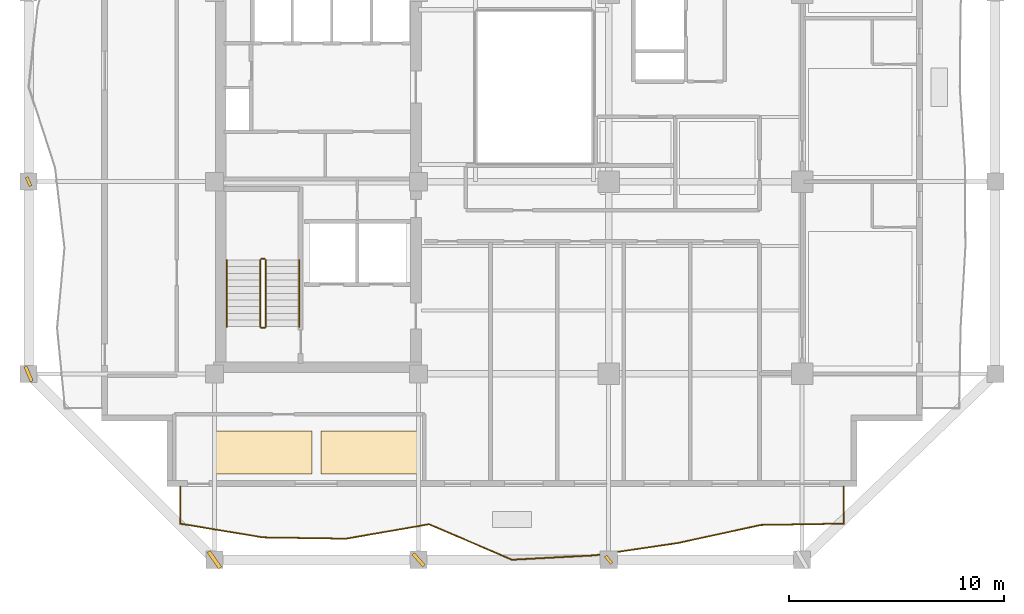
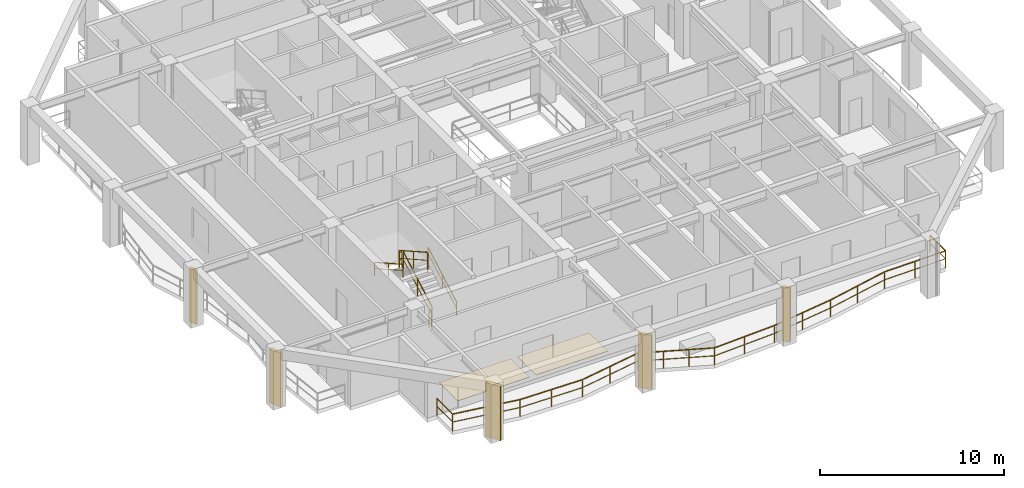
# One storey, part 8 of 11: 7 railings, 5 shading devices, 2 coverings.
"""IFC4 building model written with IfcOpenShell, lengths in metres."""

from ifc_helpers import new_model, si_unit, direction, frame, origin, origin_2d, place, context, subcontext, project, spatial, polyline, rectangle, outline, extrude, material, layer, layer_set, type_object, element, save


model = new_model("IFC4")

# Units and contexts
model_context = context("Model", 3, precision=1e-05, world=origin(), true_north=direction((0.0, 1.0)))
body_context = subcontext(model_context, "Body", "Model", "MODEL_VIEW")
ifc_project = project(units=[si_unit("LENGTHUNIT", "METRE"), si_unit("AREAUNIT", "SQUARE_METRE"), si_unit("VOLUMEUNIT", "CUBIC_METRE"), si_unit("PLANEANGLEUNIT", "RADIAN"), si_unit("MASSUNIT", "GRAM", prefix="KILO")], contexts=[model_context])

# Site, building, storey
site_placement = place(None, origin())
site = spatial("IfcSite", under=ifc_project, at=site_placement, CompositionType="ELEMENT")
building_placement = place(site_placement, origin())
building = spatial("IfcBuilding", under=site, at=building_placement, Name="Kundavana Baori Tower", CompositionType="ELEMENT")
storey_placement = place(building_placement, frame((0.0, 0.0, 142.5)))
storey = spatial("IfcBuildingStorey", under=building, at=storey_placement, Name="L34", CompositionType="ELEMENT", Elevation=142.5)

# Coverings
ifc_material_1 = material(Name="Honed Kota Stone and Terrazzo Flooring", Category="masonry")
ifc_layer = layer(ifc_material_1, 0.030029296875, Name="COV-INT-FLR")
ifc_layer_set = layer_set([ifc_layer], Name="Honed Kota Stone and Terrazzo Flooring")
covering_type = type_object("IfcCoveringType", Name="COV-INT-FLR", PredefinedType="FLOORING", material=ifc_layer_set)
covering_1_placement = place(storey_placement, origin())
element("IfcCovering", 1, at=covering_1_placement, inside=storey, type_object=covering_type, Name="L34 Room Finished Stone Flooring 5", PredefinedType="FLOORING", context=body_context, shape_type="SweptSolid", body=[
    extrude(outline(polyline([(15.5, 10.580078125), (20.0, 10.580078125), (20.0, 12.60009765625), (15.5, 12.60009765625), (15.5, 10.580078125)])), origin(), (0.0, 0.0, 1.0), 0.030029296875),
])
covering_2_placement = place(storey_placement, origin())
element("IfcCovering", 2, at=covering_2_placement, inside=storey, type_object=covering_type, Name="L34 Room Finished Stone Flooring 6", PredefinedType="FLOORING", context=body_context, shape_type="SweptSolid", body=[
    extrude(outline(polyline([(20.39990234375, 10.580078125), (24.89990234375, 10.580078125), (24.89990234375, 12.60009765625), (20.39990234375, 12.60009765625), (20.39990234375, 10.580078125)])), origin(), (0.0, 0.0, 1.0), 0.030029296875),
])

# Railings
ifc_material_2 = material(Name="Architectural Patinated Bronze Metalwork")
railing_type_1 = type_object("IfcRailingType", Name="RL-BAL-1150", PredefinedType="BALUSTRADE", material=ifc_material_2)
railing_1_placement = place(storey_placement, frame((44.75, 10.0, 0.0)))
element("IfcRailing", 3, at=railing_1_placement, inside=storey, type_object=railing_type_1, Name="L34 Loggia Balcony Balustrade S", PredefinedType="BALUSTRADE", context=body_context, shape_type="SweptSolid", body=[
    extrude(rectangle(XDim=0.048095703125, YDim=0.048095703125, at=origin_2d()), frame((0.0, 0.0, 1.1259765625), z_axis=(0.0, -1.0, 0.0), x_axis=(1.0, 0.0, 0.0)), (0.0, 0.0, 1.0), 1.719970703125),
    extrude(rectangle(XDim=0.03125, YDim=0.03125, at=origin_2d()), frame((0.0, 0.0, 0.597900390625), z_axis=(0.0, -1.0, 0.0), x_axis=(1.0, 0.0, 0.0)), (0.0, 0.0, 1.0), 1.719970703125),
    extrude(rectangle(XDim=0.048095703125, YDim=0.048095703125, at=origin_2d()), frame((0.0, -1.719970703125, 1.1259765625), z_axis=(-0.999867093821, -0.016303211161, 0.0), x_axis=(0.016303211161, -0.999867093821, 0.0)), (0.0, 0.0, 1.0), 3.863525390625),
    extrude(rectangle(XDim=0.03125, YDim=0.03125, at=origin_2d()), frame((0.0, -1.719970703125, 0.597900390625), z_axis=(-0.999867093821, -0.016303211161, 0.0), x_axis=(0.016303211161, -0.999867093821, 0.0)), (0.0, 0.0, 1.0), 3.863525390625),
    extrude(rectangle(XDim=0.048095703125, YDim=0.048095703125, at=origin_2d()), frame((-3.863037109375, -1.782958984375, 1.1259765625), z_axis=(-0.977200888548, -0.212316799667, 0.0), x_axis=(0.212316799667, -0.977200888548, 0.0)), (0.0, 0.0, 1.0), 3.9521484375),
    extrude(rectangle(XDim=0.03125, YDim=0.03125, at=origin_2d()), frame((-3.863037109375, -1.782958984375, 0.597900390625), z_axis=(-0.977200888548, -0.212316799667, 0.0), x_axis=(0.212316799667, -0.977200888548, 0.0)), (0.0, 0.0, 1.0), 3.9521484375),
    extrude(rectangle(XDim=0.048095703125, YDim=0.048095703125, at=origin_2d()), frame((-7.72509765625, -2.6220703125, 1.1259765625), z_axis=(-0.989243383447, -0.146278940061, 0.0), x_axis=(0.146278940061, -0.989243383447, 0.0)), (0.0, 0.0, 1.0), 3.90380859375),
    extrude(rectangle(XDim=0.03125, YDim=0.03125, at=origin_2d()), frame((-7.72509765625, -2.6220703125, 0.597900390625), z_axis=(-0.989243383447, -0.146278940061, 0.0), x_axis=(0.146278940061, -0.989243383447, 0.0)), (0.0, 0.0, 1.0), 3.90380859375),
    extrude(rectangle(XDim=0.048095703125, YDim=0.048095703125, at=origin_2d()), frame((-11.5869140625, -3.193115234375, 1.1259765625), z_axis=(-0.998570358774, -0.053453143771, 0.0), x_axis=(0.053453143771, -0.998570358774, 0.0)), (0.0, 0.0, 1.0), 3.86865234375),
    extrude(rectangle(XDim=0.03125, YDim=0.03125, at=origin_2d()), frame((-11.5869140625, -3.193115234375, 0.597900390625), z_axis=(-0.998570358774, -0.053453143771, 0.0), x_axis=(0.053453143771, -0.998570358774, 0.0)), (0.0, 0.0, 1.0), 3.86865234375),
    extrude(rectangle(XDim=0.048095703125, YDim=0.048095703125, at=origin_2d()), frame((-15.449951171875, -3.39990234375, 1.1259765625), z_axis=(-0.919514434339, 0.393056236488, 0.0), x_axis=(-0.393056236488, -0.919514434339, 0.0)), (0.0, 0.0, 1.0), 4.2001953125),
    extrude(rectangle(XDim=0.03125, YDim=0.03125, at=origin_2d()), frame((-15.449951171875, -3.39990234375, 0.597900390625), z_axis=(-0.919514434339, 0.393056236488, 0.0), x_axis=(-0.393056236488, -0.919514434339, 0.0)), (0.0, 0.0, 1.0), 4.2001953125),
    extrude(rectangle(XDim=0.048095703125, YDim=0.048095703125, at=origin_2d()), frame((-19.31201171875, -1.7490234375, 1.1259765625), z_axis=(-0.985209926817, -0.171351685433, 0.0), x_axis=(0.171351685433, -0.985209926817, 0.0)), (0.0, 0.0, 1.0), 3.921142578125),
    extrude(rectangle(XDim=0.03125, YDim=0.03125, at=origin_2d()), frame((-19.31201171875, -1.7490234375, 0.597900390625), z_axis=(-0.985209926817, -0.171351685433, 0.0), x_axis=(0.171351685433, -0.985209926817, 0.0)), (0.0, 0.0, 1.0), 3.921142578125),
    extrude(rectangle(XDim=0.048095703125, YDim=0.048095703125, at=origin_2d()), frame((-23.175048828125, -2.4208984375, 1.1259765625), z_axis=(-0.999884028605, 0.015229226499, 0.0), x_axis=(-0.015229226499, -0.999884028605, 0.0)), (0.0, 0.0, 1.0), 3.863525390625),
    extrude(rectangle(XDim=0.03125, YDim=0.03125, at=origin_2d()), frame((-23.175048828125, -2.4208984375, 0.597900390625), z_axis=(-0.999884028605, 0.015229226499, 0.0), x_axis=(-0.015229226499, -0.999884028605, 0.0)), (0.0, 0.0, 1.0), 3.863525390625),
    extrude(rectangle(XDim=0.048095703125, YDim=0.048095703125, at=origin_2d()), frame((-27.0380859375, -2.362060546875, 1.1259765625), z_axis=(-0.986457897458, 0.164014683924, 0.0), x_axis=(-0.164014683924, -0.986457897458, 0.0)), (0.0, 0.0, 1.0), 3.914794921875),
    extrude(rectangle(XDim=0.03125, YDim=0.03125, at=origin_2d()), frame((-27.0380859375, -2.362060546875, 0.597900390625), z_axis=(-0.986457897458, 0.164014683924, 0.0), x_axis=(-0.164014683924, -0.986457897458, 0.0)), (0.0, 0.0, 1.0), 3.914794921875),
    extrude(rectangle(XDim=0.048095703125, YDim=0.048095703125, at=origin_2d()), frame((-30.89990234375, -1.719970703125, 1.1259765625), z_axis=(0.0, 1.0, 0.0), x_axis=(-1.0, 0.0, 0.0)), (0.0, 0.0, 1.0), 1.719970703125),
    extrude(rectangle(XDim=0.03125, YDim=0.03125, at=origin_2d()), frame((-30.89990234375, -1.719970703125, 0.597900390625), z_axis=(0.0, 1.0, 0.0), x_axis=(-1.0, 0.0, 0.0)), (0.0, 0.0, 1.0), 1.719970703125),
    extrude(rectangle(XDim=0.0419921875, YDim=0.0419921875, at=origin_2d()), origin(), (0.0, 0.0, 1.0), 1.101806640625),
    extrude(rectangle(XDim=0.0419921875, YDim=0.0419921875, at=origin_2d()), frame((0.0, -1.719970703125, 0.0)), (0.0, 0.0, 1.0), 1.101806640625),
    extrude(rectangle(XDim=0.0419921875, YDim=0.0419921875, at=origin_2d()), frame((-1.931640625, -1.75146484375, 0.0)), (0.0, 0.0, 1.0), 1.101806640625),
    extrude(rectangle(XDim=0.0419921875, YDim=0.0419921875, at=origin_2d()), frame((-3.863037109375, -1.782958984375, 0.0)), (0.0, 0.0, 1.0), 1.101806640625),
    extrude(rectangle(XDim=0.0419921875, YDim=0.0419921875, at=origin_2d()), frame((-5.7939453125, -2.20263671875, 0.0)), (0.0, 0.0, 1.0), 1.101806640625),
    extrude(rectangle(XDim=0.0419921875, YDim=0.0419921875, at=origin_2d()), frame((-7.72509765625, -2.6220703125, 0.0)), (0.0, 0.0, 1.0), 1.101806640625),
    extrude(rectangle(XDim=0.0419921875, YDim=0.0419921875, at=origin_2d()), frame((-9.656005859375, -2.90771484375, 0.0)), (0.0, 0.0, 1.0), 1.101806640625),
    extrude(rectangle(XDim=0.0419921875, YDim=0.0419921875, at=origin_2d()), frame((-11.5869140625, -3.193115234375, 0.0)), (0.0, 0.0, 1.0), 1.101806640625),
    extrude(rectangle(XDim=0.0419921875, YDim=0.0419921875, at=origin_2d()), frame((-13.5185546875, -3.29638671875, 0.0)), (0.0, 0.0, 1.0), 1.101806640625),
    extrude(rectangle(XDim=0.0419921875, YDim=0.0419921875, at=origin_2d()), frame((-15.449951171875, -3.39990234375, 0.0)), (0.0, 0.0, 1.0), 1.101806640625),
    extrude(rectangle(XDim=0.0419921875, YDim=0.0419921875, at=origin_2d()), frame((-16.7373046875, -2.849609375, 0.0)), (0.0, 0.0, 1.0), 1.101806640625),
    extrude(rectangle(XDim=0.0419921875, YDim=0.0419921875, at=origin_2d()), frame((-18.024658203125, -2.29931640625, 0.0)), (0.0, 0.0, 1.0), 1.101806640625),
    extrude(rectangle(XDim=0.0419921875, YDim=0.0419921875, at=origin_2d()), frame((-19.31201171875, -1.7490234375, 0.0)), (0.0, 0.0, 1.0), 1.101806640625),
    extrude(rectangle(XDim=0.0419921875, YDim=0.0419921875, at=origin_2d()), frame((-21.24365234375, -2.0849609375, 0.0)), (0.0, 0.0, 1.0), 1.101806640625),
    extrude(rectangle(XDim=0.0419921875, YDim=0.0419921875, at=origin_2d()), frame((-23.175048828125, -2.4208984375, 0.0)), (0.0, 0.0, 1.0), 1.101806640625),
    extrude(rectangle(XDim=0.0419921875, YDim=0.0419921875, at=origin_2d()), frame((-25.1064453125, -2.3916015625, 0.0)), (0.0, 0.0, 1.0), 1.101806640625),
    extrude(rectangle(XDim=0.0419921875, YDim=0.0419921875, at=origin_2d()), frame((-27.0380859375, -2.362060546875, 0.0)), (0.0, 0.0, 1.0), 1.101806640625),
    extrude(rectangle(XDim=0.0419921875, YDim=0.0419921875, at=origin_2d()), frame((-28.968994140625, -2.041015625, 0.0)), (0.0, 0.0, 1.0), 1.101806640625),
    extrude(rectangle(XDim=0.0419921875, YDim=0.0419921875, at=origin_2d()), frame((-30.89990234375, -1.719970703125, 0.0)), (0.0, 0.0, 1.0), 1.101806640625),
    extrude(rectangle(XDim=0.0419921875, YDim=0.0419921875, at=origin_2d()), frame((-30.89990234375, 0.0, 0.0)), (0.0, 0.0, 1.0), 1.101806640625),
])
ifc_material_3 = material(Name="Architectural Patinated Bronze Metalwork")
railing_type_2 = type_object("IfcRailingType", Name="RL-GRD-1150", PredefinedType="GUARDRAIL", material=ifc_material_3)
railing_2_placement = place(storey_placement, frame((17.840087890625, 17.449951171875, 0.175048828125)))
element("IfcRailing", 4, at=railing_2_placement, inside=storey, type_object=railing_type_2, Name="L34 ST1 stair guard 1", PredefinedType="GUARDRAIL", context=body_context, shape_type="SweptSolid", body=[
    extrude(rectangle(XDim=0.048095703125, YDim=0.048095703125, at=origin_2d()), frame((0.0, 0.0, 1.1259765625), z_axis=(0.0, 0.870830938388, 0.491582624537), x_axis=(-1.0, 0.0, 0.0)), (0.0, 0.0, 1.0), 3.559814453125),
    extrude(rectangle(XDim=0.03125, YDim=0.03125, at=origin_2d()), frame((0.0, 0.0, 0.597900390625), z_axis=(0.0, 0.870830938388, 0.491582624537), x_axis=(-1.0, 0.0, 0.0)), (0.0, 0.0, 1.0), 3.559814453125),
    extrude(rectangle(XDim=0.0419921875, YDim=0.0419921875, at=origin_2d()), origin(), (0.0, 0.0, 1.0), 1.101806640625),
    extrude(rectangle(XDim=0.0419921875, YDim=0.0419921875, at=origin_2d()), frame((0.0, 1.550048828125, 0.875)), (0.0, 0.0, 1.0), 1.101806640625),
    extrude(rectangle(XDim=0.0419921875, YDim=0.0419921875, at=origin_2d()), frame((0.0, 3.10009765625, 1.75)), (0.0, 0.0, 1.0), 1.101806640625),
])
railing_3_placement = place(storey_placement, frame((17.7900390625, 20.60009765625, 1.925048828125)))
element("IfcRailing", 5, at=railing_3_placement, inside=storey, type_object=railing_type_2, Name="L34 ST1 stair guard 2", PredefinedType="GUARDRAIL", context=body_context, shape_type="SweptSolid", body=[
    extrude(rectangle(XDim=0.048095703125, YDim=0.048095703125, at=origin_2d()), frame((0.0, 0.0, 1.1259765625), z_axis=(-1.0, 0.0, 0.0), x_axis=(0.0, -1.0, 0.0)), (0.0, 0.0, 1.0), 0.16015625),
    extrude(rectangle(XDim=0.03125, YDim=0.03125, at=origin_2d()), frame((0.0, 0.0, 0.597900390625), z_axis=(-1.0, 0.0, 0.0), x_axis=(0.0, -1.0, 0.0)), (0.0, 0.0, 1.0), 0.16015625),
    extrude(rectangle(XDim=0.0419921875, YDim=0.0419921875, at=origin_2d()), origin(), (0.0, 0.0, 1.0), 1.101806640625),
    extrude(rectangle(XDim=0.0419921875, YDim=0.0419921875, at=origin_2d()), frame((-0.16015625, 0.0, 0.0)), (0.0, 0.0, 1.0), 1.101806640625),
])
railing_4_placement = place(storey_placement, frame((17.580078125, 20.550048828125, 2.10009765625)))
element("IfcRailing", 6, at=railing_4_placement, inside=storey, type_object=railing_type_2, Name="L34 ST1 stair guard 3", PredefinedType="GUARDRAIL", context=body_context, shape_type="SweptSolid", body=[
    extrude(rectangle(XDim=0.048095703125, YDim=0.048095703125, at=origin_2d()), frame((0.0, 0.0, 1.1259765625), z_axis=(0.0, -0.870830938388, 0.491582624537), x_axis=(1.0, 0.0, 0.0)), (0.0, 0.0, 1.0), 3.559814453125),
    extrude(rectangle(XDim=0.03125, YDim=0.03125, at=origin_2d()), frame((0.0, 0.0, 0.597900390625), z_axis=(0.0, -0.870830938388, 0.491582624537), x_axis=(1.0, 0.0, 0.0)), (0.0, 0.0, 1.0), 3.559814453125),
    extrude(rectangle(XDim=0.0419921875, YDim=0.0419921875, at=origin_2d()), origin(), (0.0, 0.0, 1.0), 1.101806640625),
    extrude(rectangle(XDim=0.0419921875, YDim=0.0419921875, at=origin_2d()), frame((0.0, -1.550048828125, 0.875)), (0.0, 0.0, 1.0), 1.101806640625),
    extrude(rectangle(XDim=0.0419921875, YDim=0.0419921875, at=origin_2d()), frame((0.0, -3.10009765625, 1.75)), (0.0, 0.0, 1.0), 1.101806640625),
])
railing_5_placement = place(storey_placement, frame((17.7900390625, 17.39990234375, 0.0)))
element("IfcRailing", 7, at=railing_5_placement, inside=storey, type_object=railing_type_2, Name="L34 ST1 stair guard 4", PredefinedType="GUARDRAIL", context=body_context, shape_type="SweptSolid", body=[
    extrude(rectangle(XDim=0.048095703125, YDim=0.048095703125, at=origin_2d()), frame((0.0, 0.0, 1.1259765625), z_axis=(-1.0, 0.0, 0.0), x_axis=(0.0, -1.0, 0.0)), (0.0, 0.0, 1.0), 0.16015625),
    extrude(rectangle(XDim=0.03125, YDim=0.03125, at=origin_2d()), frame((0.0, 0.0, 0.597900390625), z_axis=(-1.0, 0.0, 0.0), x_axis=(0.0, -1.0, 0.0)), (0.0, 0.0, 1.0), 0.16015625),
    extrude(rectangle(XDim=0.0419921875, YDim=0.0419921875, at=origin_2d()), origin(), (0.0, 0.0, 1.0), 1.101806640625),
    extrude(rectangle(XDim=0.0419921875, YDim=0.0419921875, at=origin_2d()), frame((-0.16015625, 0.0, 0.0)), (0.0, 0.0, 1.0), 1.101806640625),
])
ifc_material_4 = material(Name="Architectural Patinated Bronze Metalwork")
railing_type_3 = type_object("IfcRailingType", Name="RL-HND-920", PredefinedType="HANDRAIL", material=ifc_material_4)
railing_6_placement = place(storey_placement, frame((19.389892578125, 17.449951171875, 0.175048828125)))
element("IfcRailing", 8, at=railing_6_placement, inside=storey, type_object=railing_type_3, Name="L34 ST1 stair handrail 1", PredefinedType="HANDRAIL", context=body_context, shape_type="SweptSolid", body=[
    extrude(rectangle(XDim=0.048095703125, YDim=0.048095703125, at=origin_2d()), frame((0.0, 0.0, 0.8759765625), z_axis=(0.0, 0.870830938388, 0.491582624537), x_axis=(-1.0, 0.0, 0.0)), (0.0, 0.0, 1.0), 3.559814453125),
    extrude(rectangle(XDim=0.03125, YDim=0.03125, at=origin_2d()), frame((0.0, 0.0, 0.468017578125), z_axis=(0.0, 0.870830938388, 0.491582624537), x_axis=(-1.0, 0.0, 0.0)), (0.0, 0.0, 1.0), 3.559814453125),
    extrude(rectangle(XDim=0.0419921875, YDim=0.0419921875, at=origin_2d()), origin(), (0.0, 0.0, 1.0), 0.851806640625),
    extrude(rectangle(XDim=0.0419921875, YDim=0.0419921875, at=origin_2d()), frame((0.0, 1.550048828125, 0.875)), (0.0, 0.0, 1.0), 0.851806640625),
    extrude(rectangle(XDim=0.0419921875, YDim=0.0419921875, at=origin_2d()), frame((0.0, 3.10009765625, 1.75)), (0.0, 0.0, 1.0), 0.851806640625),
])
railing_7_placement = place(storey_placement, frame((16.030029296875, 20.550048828125, 2.10009765625)))
element("IfcRailing", 9, at=railing_7_placement, inside=storey, type_object=railing_type_3, Name="L34 ST1 stair handrail 2", PredefinedType="HANDRAIL", context=body_context, shape_type="SweptSolid", body=[
    extrude(rectangle(XDim=0.048095703125, YDim=0.048095703125, at=origin_2d()), frame((0.0, 0.0, 0.8759765625), z_axis=(0.0, -0.870830938388, 0.491582624537), x_axis=(1.0, 0.0, 0.0)), (0.0, 0.0, 1.0), 3.559814453125),
    extrude(rectangle(XDim=0.03125, YDim=0.03125, at=origin_2d()), frame((0.0, 0.0, 0.468017578125), z_axis=(0.0, -0.870830938388, 0.491582624537), x_axis=(1.0, 0.0, 0.0)), (0.0, 0.0, 1.0), 3.559814453125),
    extrude(rectangle(XDim=0.0419921875, YDim=0.0419921875, at=origin_2d()), origin(), (0.0, 0.0, 1.0), 0.851806640625),
    extrude(rectangle(XDim=0.0419921875, YDim=0.0419921875, at=origin_2d()), frame((0.0, -1.550048828125, 0.875)), (0.0, 0.0, 1.0), 0.851806640625),
    extrude(rectangle(XDim=0.0419921875, YDim=0.0419921875, at=origin_2d()), frame((0.0, -3.10009765625, 1.75)), (0.0, 0.0, 1.0), 0.851806640625),
])

# Shading devices
ifc_material_5 = material(Name="Red-Buff Dholpur Sandstone Cladding on Concrete C40/50", Category="masonry")
shading_device_type_1 = type_object("IfcShadingDeviceType", Name="SHD-FIN-750", PredefinedType="JALOUSIE", material=ifc_material_5)
for number, where, z_axis, x_axis, name in (
    (10, (24.949951171875, 6.60009765625, 0.0), (0.0, 0.0, 1.0), (0.746405927603, 0.665490940013, 0.0), "L34 Sweeping Dholpur Sandstone Facade Fin 2"),
    (11, (6.800048828125, 15.25, 0.0), (0.0, 0.0, 1.0), (0.922470722095, 0.386067049717, 0.0), "L34 Sweeping Dholpur Sandstone Facade Fin 5"),
):
    element("IfcShadingDevice", number, at=place(storey_placement, frame(where, z_axis=z_axis, x_axis=x_axis)), inside=storey, type_object=shading_device_type_1, Name=name, PredefinedType="JALOUSIE", context=body_context, shape_type="SweptSolid", body=[
        extrude(rectangle(XDim=0.159912109375, YDim=0.75, at=origin_2d()), origin(), (0.0, 0.0, 1.0), 3.60009765625),
    ])
ifc_material_6 = material(Name="Red-Buff Dholpur Sandstone Cladding on Concrete C40/50", Category="masonry")
shading_device_type_2 = type_object("IfcShadingDeviceType", Name="SHD-FIN-920", PredefinedType="JALOUSIE", material=ifc_material_6)
shading_device_placement = place(storey_placement, frame((15.449951171875, 6.60009765625, 0.0), z_axis=(0.0, 0.0, 1.0), x_axis=(0.816440043737, 0.577430216549, 0.0)))
element("IfcShadingDevice", 12, at=shading_device_placement, inside=storey, type_object=shading_device_type_2, Name="L34 Sweeping Dholpur Sandstone Facade Fin 1", PredefinedType="JALOUSIE", context=body_context, shape_type="SweptSolid", body=[
    extrude(rectangle(XDim=0.179931640625, YDim=0.919921875, at=origin_2d()), origin(), (0.0, 0.0, 1.0), 3.60009765625),
])
ifc_material_7 = material(Name="Architectural Patinated Bronze Metalwork")
shading_device_type_3 = type_object("IfcShadingDeviceType", Name="SHD-LOUV-450", PredefinedType="SHUTTER", material=ifc_material_7)
for number, where, z_axis, x_axis, name in (
    (13, (33.800048828125, 6.60009765625, 0.0), (0.0, 0.0, 1.0), (0.774613452723, 0.632434975995, 0.0), "L34 Sweeping Dholpur Sandstone Facade Fin 3"),
    (14, (6.800048828125, 24.199951171875, 0.0), (0.0, 0.0, 1.0), (0.914465961539, 0.404662829014, 0.0), "L34 Sweeping Dholpur Sandstone Facade Fin 6"),
):
    element("IfcShadingDevice", number, at=place(storey_placement, frame(where, z_axis=z_axis, x_axis=x_axis)), inside=storey, type_object=shading_device_type_3, Name=name, PredefinedType="SHUTTER", context=body_context, shape_type="SweptSolid", body=[
        extrude(rectangle(XDim=0.139892578125, YDim=0.449951171875, at=origin_2d()), origin(), (0.0, 0.0, 1.0), 3.60009765625),
    ])

save(model, "model.ifc")
